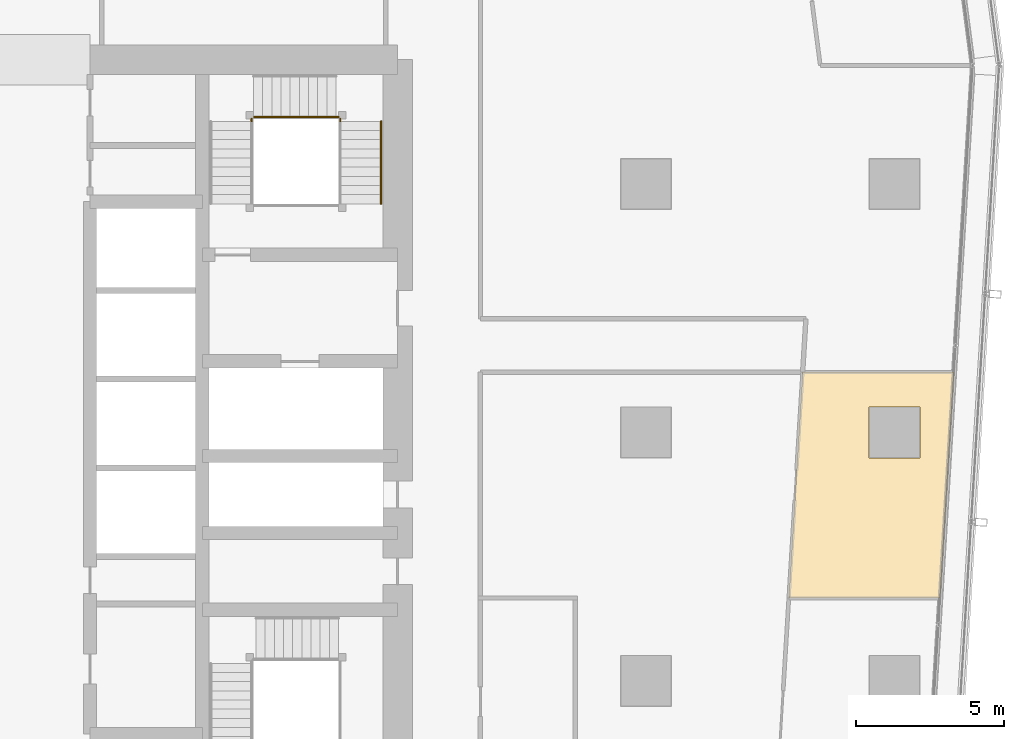
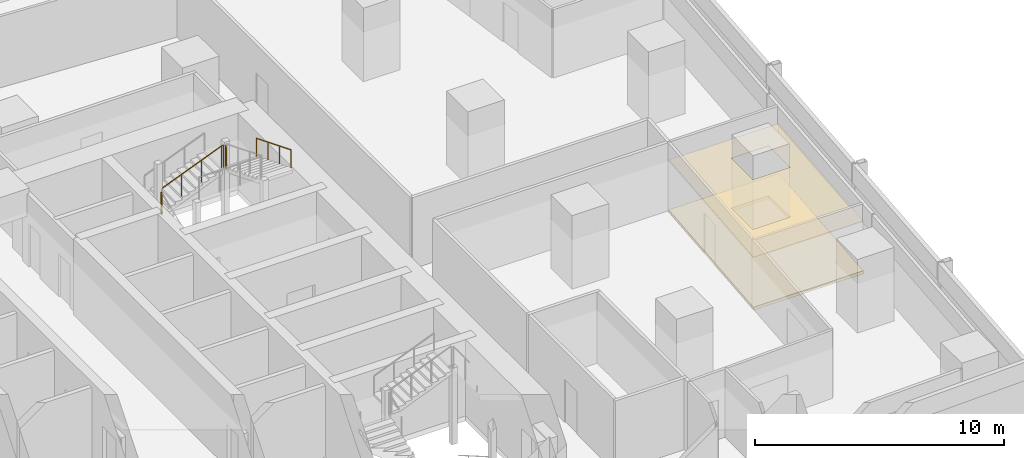
# One storey, part 39 of 40: 5 railings, 2 coverings.
"""IFC4 building model written with IfcOpenShell, lengths in metres."""

from ifc_helpers import new_model, si_unit, direction, frame, origin, origin_2d, place, context, subcontext, project, spatial, polyline, circle, outline, extrude, material, layer, layer_set, type_object, element, save


model = new_model("IFC4")

# Units and contexts
model_context = context("Model", 3, precision=1e-05, world=origin(), true_north=direction((0.0, 1.0)))
body_context = subcontext(model_context, "Body", "Model", "MODEL_VIEW")
ifc_project = project(units=[si_unit("LENGTHUNIT", "METRE"), si_unit("AREAUNIT", "SQUARE_METRE"), si_unit("VOLUMEUNIT", "CUBIC_METRE"), si_unit("PLANEANGLEUNIT", "RADIAN"), si_unit("MASSUNIT", "GRAM", prefix="KILO")], contexts=[model_context])

# Site, building, storey
site_placement = place(None, origin())
site = spatial("IfcSite", under=ifc_project, at=site_placement, CompositionType="ELEMENT")
building_placement = place(site_placement, origin())
building = spatial("IfcBuilding", under=site, at=building_placement, Name="Rekha Terrace Tower", CompositionType="ELEMENT")
storey_placement = place(building_placement, frame((0.0, 0.0, 132.800048828125)))
storey = spatial("IfcBuildingStorey", under=building, at=storey_placement, Name="L33", CompositionType="ELEMENT", Elevation=132.800048828125)

# Covering
ifc_material_1 = material(Name="Mineral fibre tile in exposed grid", Category="finish")
ifc_layer_1 = layer(ifc_material_1, 0.02001953125)
ifc_layer_set_1 = layer_set([ifc_layer_1], Name="Mineral fibre tile in exposed grid")
covering_type_1 = type_object("IfcCoveringType", Name="CL1 600x1200 office grid ceiling", PredefinedType="CEILING", material=ifc_layer_set_1)
covering_1_placement = place(storey_placement, frame((0.0, 0.0, 2.579833984375)))
element("IfcCovering", 1, at=covering_1_placement, inside=storey, type_object=covering_type_1, Name="Ceiling L33-05", PredefinedType="CEILING", context=body_context, shape_type="SweptSolid", body=[
    extrude(outline(polyline([(63.625, 27.9970703125), (68.735107421875, 27.9970703125), (69.202880859375, 35.633056640625), (64.093017578125, 35.633056640625), (63.625, 27.9970703125)]), holes=[polyline([(68.06494140625, 34.465087890625), (68.06494140625, 32.735107421875), (66.3349609375, 32.735107421875), (66.3349609375, 34.465087890625), (68.06494140625, 34.465087890625)])]), origin(), (0.0, 0.0, 1.0), 0.02001953125),
])

# Railings
ifc_material_2 = material(Name="Stainless steel balustrade", Category="steel")
railing_type_1 = type_object("IfcRailingType", Name="GR1 1100 stair guard", PredefinedType="GUARDRAIL", material=ifc_material_2)
railing_1_placement = place(storey_placement, frame((45.52490234375, 44.260009765625, 1.375)))
element("IfcRailing", 2, at=railing_1_placement, inside=storey, type_object=railing_type_1, Name="Guard ST2 L33 flight 2", PredefinedType="GUARDRAIL", context=body_context, shape_type="SweptSolid", body=[
    extrude(circle(Radius=0.02392578125, at=origin_2d()), frame((0.0, 0.0, 1.076171875), z_axis=(0.927443287984, 0.0, 0.373963831907), x_axis=(0.0, 1.0, 0.0)), (0.0, 0.0, 1.0), 3.00830078125),
    extrude(circle(Radius=0.02099609375, at=origin_2d()), origin(), (0.0, 0.0, 1.0), 1.052001953125),
    extrude(circle(Radius=0.02099609375, at=origin_2d()), frame((0.929931640625, 0.0, 0.375)), (0.0, 0.0, 1.0), 1.052001953125),
    extrude(circle(Radius=0.02099609375, at=origin_2d()), frame((1.860107421875, 0.0, 0.75)), (0.0, 0.0, 1.0), 1.052001953125),
    extrude(circle(Radius=0.02099609375, at=origin_2d()), frame((2.7900390625, 0.0, 1.125)), (0.0, 0.0, 1.0), 1.052001953125),
])
railing_2_placement = place(storey_placement, frame((45.465087890625, 44.114990234375, 1.25)))
element("IfcRailing", 3, at=railing_2_placement, inside=storey, type_object=railing_type_1, Name="Guard ST2 L33 landing 1", PredefinedType="GUARDRAIL", context=body_context, shape_type="SweptSolid", body=[
    extrude(circle(Radius=0.02392578125, at=origin_2d()), frame((0.0, 0.0, 1.076171875), z_axis=(0.0, 1.0, 0.0), x_axis=(-1.0, 0.0, 0.0)), (0.0, 0.0, 1.0), 0.0849609375),
    extrude(circle(Radius=0.02099609375, at=origin_2d()), origin(), (0.0, 0.0, 1.0), 1.052001953125),
    extrude(circle(Radius=0.02099609375, at=origin_2d()), frame((0.0, 0.0849609375, 0.0)), (0.0, 0.0, 1.0), 1.052001953125),
])
railing_3_placement = place(storey_placement, frame((48.31494140625, 44.260009765625, 2.5)))
element("IfcRailing", 4, at=railing_3_placement, inside=storey, type_object=railing_type_1, Name="Guard ST2 L33 landing 2", PredefinedType="GUARDRAIL", context=body_context, shape_type="SweptSolid", body=[
    extrude(circle(Radius=0.02392578125, at=origin_2d()), frame((0.0, 0.0, 1.076171875), z_axis=(1.0, 0.0, 0.0), x_axis=(0.0, 1.0, 0.0)), (0.0, 0.0, 1.0), 0.0849609375),
    extrude(circle(Radius=0.02099609375, at=origin_2d()), origin(), (0.0, 0.0, 1.0), 1.052001953125),
    extrude(circle(Radius=0.02099609375, at=origin_2d()), frame((0.0849609375, 0.0, 0.0)), (0.0, 0.0, 1.0), 1.052001953125),
])
railing_4_placement = place(storey_placement, frame((48.4599609375, 44.114990234375, 2.5)))
element("IfcRailing", 5, at=railing_4_placement, inside=storey, type_object=railing_type_1, Name="Guard ST2 L33 landing 3", PredefinedType="GUARDRAIL", context=body_context, shape_type="SweptSolid", body=[
    extrude(circle(Radius=0.02392578125, at=origin_2d()), frame((0.0, 0.0, 1.076171875), z_axis=(0.0, 1.0, 0.0), x_axis=(-1.0, 0.0, 0.0)), (0.0, 0.0, 1.0), 0.0849609375),
    extrude(circle(Radius=0.02099609375, at=origin_2d()), origin(), (0.0, 0.0, 1.0), 1.052001953125),
    extrude(circle(Radius=0.02099609375, at=origin_2d()), frame((0.0, 0.0849609375, 0.0)), (0.0, 0.0, 1.0), 1.052001953125),
])
ifc_material_3 = material(Name="Stainless steel tube", Category="steel")
railing_type_2 = type_object("IfcRailingType", Name="HR1 900 stair handrail", PredefinedType="HANDRAIL", material=ifc_material_3)
railing_5_placement = place(storey_placement, frame((49.840087890625, 44.114990234375, 2.625)))
element("IfcRailing", 6, at=railing_5_placement, inside=storey, type_object=railing_type_2, Name="Handrail ST2 L33 flight 3", PredefinedType="HANDRAIL", context=body_context, shape_type="SweptSolid", body=[
    extrude(circle(Radius=0.02392578125, at=origin_2d()), frame((0.0, 0.0, 0.8759765625), z_axis=(0.0, -0.927443287984, 0.373963831907), x_axis=(1.0, 0.0, 0.0)), (0.0, 0.0, 1.0), 3.00830078125),
    extrude(circle(Radius=0.02099609375, at=origin_2d()), origin(), (0.0, 0.0, 1.0), 0.851806640625),
    extrude(circle(Radius=0.02099609375, at=origin_2d()), frame((0.0, -0.929931640625, 0.375)), (0.0, 0.0, 1.0), 0.851806640625),
    extrude(circle(Radius=0.02099609375, at=origin_2d()), frame((0.0, -1.860107421875, 0.75)), (0.0, 0.0, 1.0), 0.851806640625),
    extrude(circle(Radius=0.02099609375, at=origin_2d()), frame((0.0, -2.7900390625, 1.125)), (0.0, 0.0, 1.0), 0.851806640625),
])

# Covering
ifc_material_4 = material(Name="Calcium sulphate panels on steel pedestals", Category="steel")
ifc_layer_2 = layer(ifc_material_4, 0.14990234375)
ifc_layer_set_2 = layer_set([ifc_layer_2], Name="Calcium sulphate panels on steel pedestals")
covering_type_2 = type_object("IfcCoveringType", Name="RF1 150 raised access floor", PredefinedType="FLOORING", material=ifc_layer_set_2)
covering_2_placement = place(storey_placement, origin())
element("IfcCovering", 7, at=covering_2_placement, inside=storey, type_object=covering_type_2, Name="Raised floor L33-05", PredefinedType="FLOORING", context=body_context, shape_type="SweptSolid", body=[
    extrude(outline(polyline([(63.625, 27.9970703125), (68.735107421875, 27.9970703125), (69.202880859375, 35.633056640625), (64.093017578125, 35.633056640625), (63.625, 27.9970703125)]), holes=[polyline([(68.06494140625, 34.465087890625), (68.06494140625, 32.735107421875), (66.3349609375, 32.735107421875), (66.3349609375, 34.465087890625), (68.06494140625, 34.465087890625)])]), origin(), (0.0, 0.0, 1.0), 0.14990234375),
])

save(model, "model.ifc")
